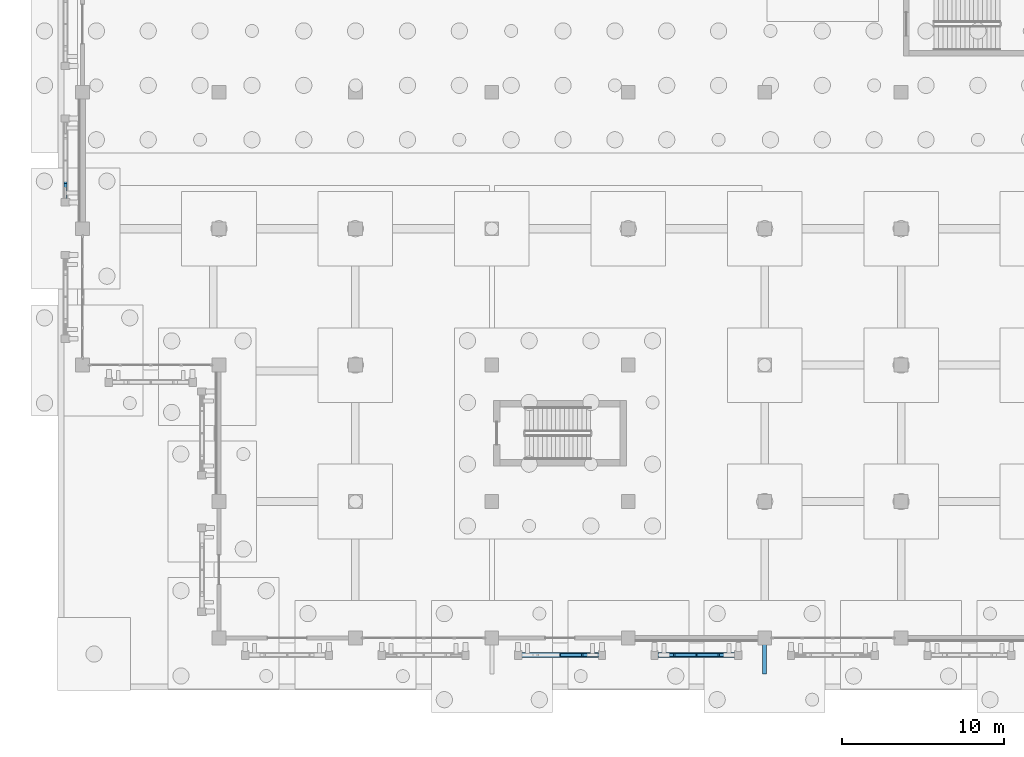
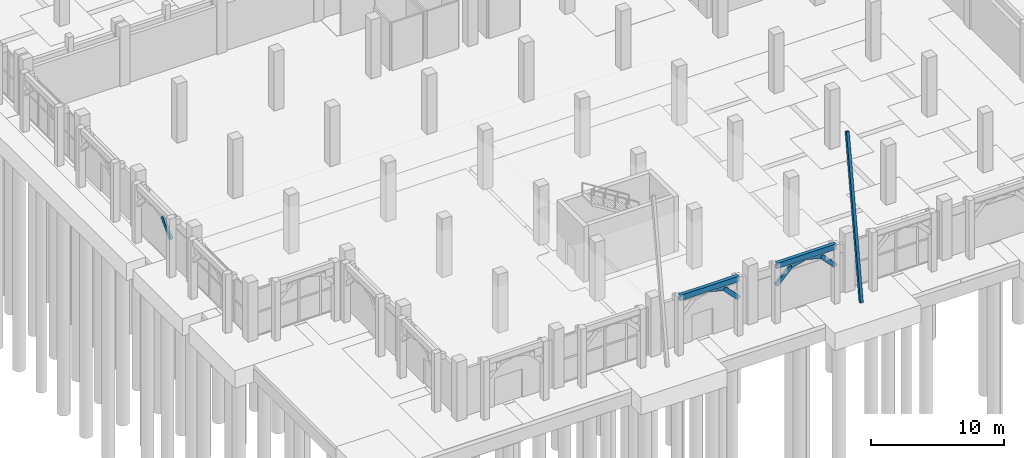
# One storey, part 16 of 98: 8 members, 2 beams.
"""IFC4 building model written with IfcOpenShell, lengths in metres."""

from ifc_helpers import new_model, si_unit, direction, frame, origin, origin_2d, place, context, subcontext, project, spatial, rectangle, hollow_rectangle, extrude, material, material_profile, profile_set, type_object, element, save


model = new_model("IFC4")

# Units and contexts
model_context = context("Model", 3, precision=1e-05, world=origin(), true_north=direction((0.0, 1.0)))
body_context = subcontext(model_context, "Body", "Model", "MODEL_VIEW")
ifc_project = project(units=[si_unit("LENGTHUNIT", "METRE"), si_unit("AREAUNIT", "SQUARE_METRE"), si_unit("VOLUMEUNIT", "CUBIC_METRE"), si_unit("PLANEANGLEUNIT", "RADIAN"), si_unit("MASSUNIT", "GRAM", prefix="KILO")], contexts=[model_context])

# Site, building, storey
site_placement = place(None, origin())
site = spatial("IfcSite", under=ifc_project, at=site_placement, CompositionType="ELEMENT")
building_placement = place(site_placement, origin())
building = spatial("IfcBuilding", under=site, at=building_placement, Name="Xazarin Passage Department Store", CompositionType="ELEMENT")
storey_placement = place(building_placement, origin())
storey = spatial("IfcBuildingStorey", under=building, at=storey_placement, Name="L00", CompositionType="ELEMENT", Elevation=0.0)

# Beams
ifc_material_1 = material(Name="Concrete C35/45", Category="concrete")
ifc_material_profile_1 = material_profile(ifc_material_1, rectangle(XDim=0.300048828125, YDim=0.5, at=origin_2d()), Name="RC 300x500")
ifc_profile_set_1 = profile_set([ifc_material_profile_1], Name="Concrete C35/45")
beam_type = type_object("IfcBeamType", Name="STR-BM-LN300x500", PredefinedType="LINTEL", material=ifc_profile_set_1)
for number, where, z_axis, x_axis, name in (
    (1, (26.820068359375, -1.050048828125, 5.14990234375), (1.0, 0.0, 0.0), (0.0, 1.0, 0.0), "L00 V3 Colonnade Spandrel Beam 029"),
    (2, (35.219970703125, -1.050048828125, 5.14990234375), (1.0, 0.0, 0.0), (0.0, 1.0, 0.0), "L00 V3 Colonnade Spandrel Beam 030"),
):
    element("IfcBeam", number, at=place(storey_placement, frame(where, z_axis=z_axis, x_axis=x_axis)), inside=storey, type_object=beam_type, Name=name, PredefinedType="LINTEL", context=body_context, shape_type="SweptSolid", body=[
        extrude(rectangle(XDim=0.300048828125, YDim=0.5, at=origin_2d()), origin(), (0.0, 0.0, 1.0), 5.159912109375),
    ])

# Members
ifc_material_2 = material(Name="Concrete C40/50", Category="concrete")
ifc_material_profile_2 = material_profile(ifc_material_2, rectangle(XDim=0.199951171875, YDim=0.360107421875, at=origin_2d()), Name="RC 200x360")
ifc_profile_set_2 = profile_set([ifc_material_profile_2], Name="Concrete C40/50")
member_type_1 = type_object("IfcMemberType", Name="STR-MEM-ARC360", PredefinedType="CHORD", material=ifc_profile_set_2)
member_1_placement = place(storey_placement, frame((29.39990234375, -1.050048828125, 4.97998046875), z_axis=(0.972393983317, 0.0, -0.233345111818), x_axis=(0.0, 1.0, 0.0)))
element("IfcMember", 3, at=member_1_placement, inside=storey, type_object=member_type_1, Name="L00 V3 Pierced Lattice Curved Arch 029.3", PredefinedType="CHORD", context=body_context, shape_type="SweptSolid", body=[
    extrude(rectangle(XDim=0.199951171875, YDim=0.360107421875, at=origin_2d()), origin(), (0.0, 0.0, 1.0), 1.32666015625),
])
for number, where, z_axis, x_axis, name in (
    (4, (30.68994140625, -1.050048828125, 4.67041015625), (0.693460080602, 0.0, -0.720495049679), (0.0, 1.0, 0.0), "L00 V3 Pierced Lattice Curved Arch 029.4"),
    (5, (35.219970703125, -1.050048828125, 3.330078125), (0.693460080602, 0.0, 0.720495049679), (0.0, 1.0, 0.0), "L00 V3 Pierced Lattice Curved Arch 030.1"),
):
    element("IfcMember", number, at=place(storey_placement, frame(where, z_axis=z_axis, x_axis=x_axis)), inside=storey, type_object=member_type_1, Name=name, PredefinedType="CHORD", context=body_context, shape_type="SweptSolid", body=[
        extrude(rectangle(XDim=0.199951171875, YDim=0.360107421875, at=origin_2d()), origin(), (0.0, 0.0, 1.0), 1.8603515625),
    ])
for number, where, z_axis, x_axis, name in (
    (6, (36.510009765625, -1.050048828125, 4.67041015625), (0.972393983317, 0.0, 0.233345111818), (0.0, 1.0, 0.0), "L00 V3 Pierced Lattice Curved Arch 030.2"),
    (7, (37.800048828125, -1.050048828125, 4.97998046875), (0.972393983317, 0.0, -0.233345111818), (0.0, 1.0, 0.0), "L00 V3 Pierced Lattice Curved Arch 030.3"),
):
    element("IfcMember", number, at=place(storey_placement, frame(where, z_axis=z_axis, x_axis=x_axis)), inside=storey, type_object=member_type_1, Name=name, PredefinedType="CHORD", context=body_context, shape_type="SweptSolid", body=[
        extrude(rectangle(XDim=0.199951171875, YDim=0.360107421875, at=origin_2d()), origin(), (0.0, 0.0, 1.0), 1.32666015625),
    ])
member_2_placement = place(storey_placement, frame((39.090087890625, -1.050048828125, 4.67041015625), z_axis=(0.693391944082, 0.0, -0.720560623322), x_axis=(0.0, 1.0, 0.0)))
element("IfcMember", 8, at=member_2_placement, inside=storey, type_object=member_type_1, Name="L00 V3 Pierced Lattice Curved Arch 030.4", PredefinedType="CHORD", context=body_context, shape_type="SweptSolid", body=[
    extrude(rectangle(XDim=0.199951171875, YDim=0.360107421875, at=origin_2d()), origin(), (0.0, 0.0, 1.0), 1.860107421875),
])
member_3_placement = place(storey_placement, frame((-1.050048828125, 26.820068359375, 3.330078125), z_axis=(0.0, 0.693460080602, 0.720495049679), x_axis=(-1.0, 0.0, 0.0)))
element("IfcMember", 9, at=member_3_placement, inside=storey, type_object=member_type_1, Name="L00 V3 Pierced Lattice Curved Arch 035.1", PredefinedType="CHORD", context=body_context, shape_type="SweptSolid", body=[
    extrude(rectangle(XDim=0.199951171875, YDim=0.360107421875, at=origin_2d()), origin(), (0.0, 0.0, 1.0), 1.8603515625),
])
ifc_material_3 = material(Name="Steel S355", Category="steel")
ifc_material_profile_3 = material_profile(ifc_material_3, hollow_rectangle(XDim=0.25, YDim=0.25, WallThickness=0.012451171875, at=origin_2d()), Name="SHS 250x250x12.5")
ifc_profile_set_3 = profile_set([ifc_material_profile_3], Name="Steel S355")
member_type_2 = type_object("IfcMemberType", Name="STR-MEM-SHS250", PredefinedType="BRACE", material=ifc_profile_set_3)
member_4_placement = place(storey_placement, frame((42.0, -2.10009765625, 0.030029296875), z_axis=(0.0, 0.144609701748, 0.989488774146), x_axis=(-1.0, 0.0, 0.0)))
element("IfcMember", 10, at=member_4_placement, inside=storey, type_object=member_type_2, Name="Sculpted Raked Concrete Buttress BUT-V3-S2", PredefinedType="BRACE", context=body_context, shape_type="SweptSolid", body=[
    extrude(hollow_rectangle(XDim=0.25, YDim=0.25, WallThickness=0.012451171875, at=origin_2d()), origin(), (0.0, 0.0, 1.0), 14.5224609375),
])

save(model, "model.ifc")
